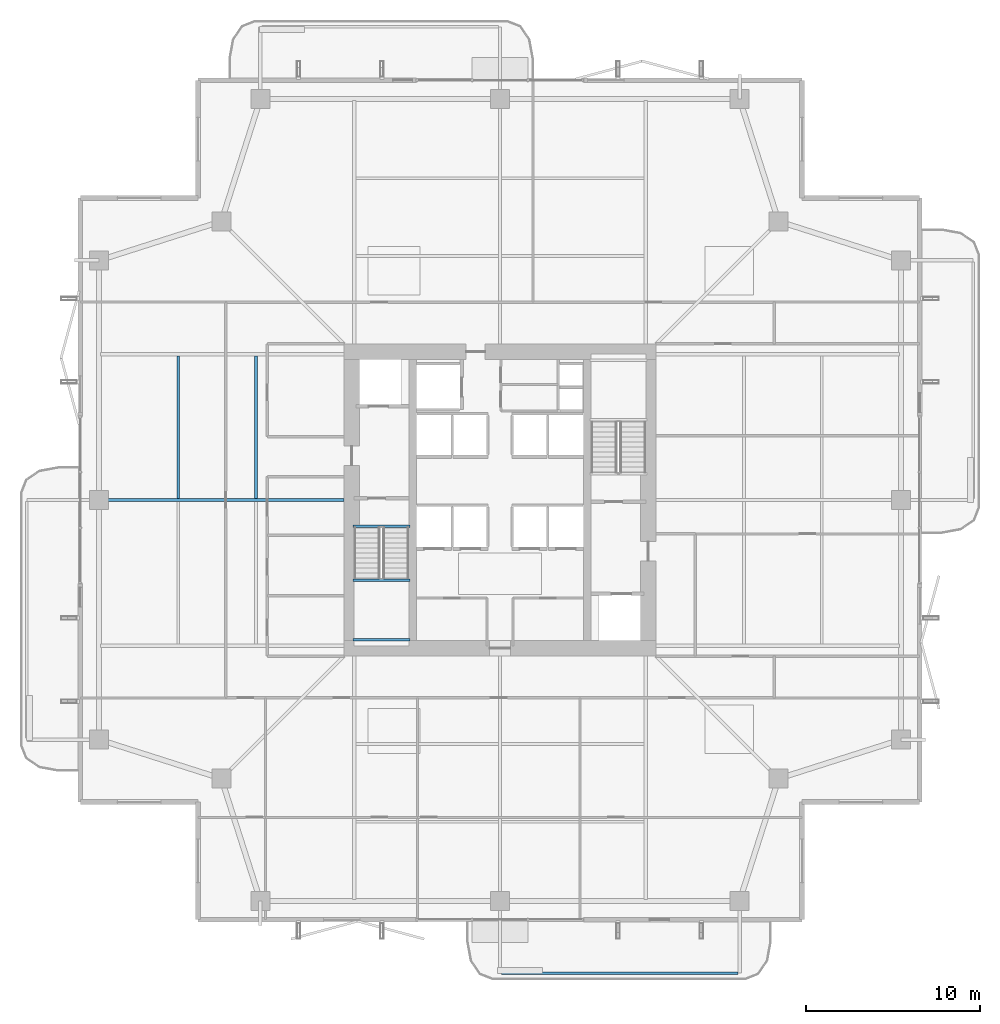
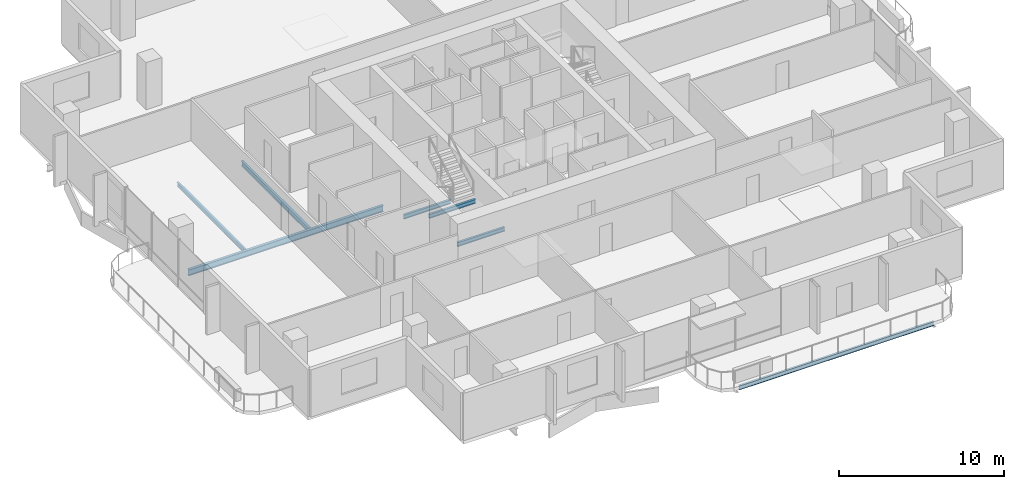
# One storey, part 7 of 25: 7 beams.
"""IFC4 building model written with IfcOpenShell, lengths in metres."""

from ifc_helpers import new_model, si_unit, direction, frame, origin, origin_2d, place, context, subcontext, project, spatial, i_section, extrude, material, material_profile, profile_set, type_object, element, save


model = new_model("IFC4")

# Units and contexts
model_context = context("Model", 3, precision=1e-05, world=origin(), true_north=direction((0.0, 1.0)))
body_context = subcontext(model_context, "Body", "Model", "MODEL_VIEW")
ifc_project = project(units=[si_unit("LENGTHUNIT", "METRE"), si_unit("AREAUNIT", "SQUARE_METRE"), si_unit("VOLUMEUNIT", "CUBIC_METRE"), si_unit("PLANEANGLEUNIT", "RADIAN"), si_unit("MASSUNIT", "GRAM", prefix="KILO")], contexts=[model_context])

# Site, building, storey
site_placement = place(None, origin())
site = spatial("IfcSite", under=ifc_project, at=site_placement, CompositionType="ELEMENT")
building_placement = place(site_placement, origin())
building = spatial("IfcBuilding", under=site, at=building_placement, Name="Belovzor Exchange Tower", CompositionType="ELEMENT")
storey_placement = place(building_placement, frame((0.0, 0.0, 187.050048828125)))
storey = spatial("IfcBuildingStorey", under=building, at=storey_placement, Name="L46", CompositionType="ELEMENT", Elevation=187.050048828125)

# Beams
ifc_material_1 = material(Name="Steel S355", Category="steel")
ifc_material_profile_1 = material_profile(ifc_material_1, i_section(OverallWidth=0.14990234375, OverallDepth=0.300048828125, WebThickness=0.007080078125, FlangeThickness=0.0107421875, at=origin_2d()))
ifc_profile_set_1 = profile_set([ifc_material_profile_1], Name="Steel S355")
beam_type_1 = type_object("IfcBeamType", Name="Planted Balcony Fascia Edge Beam IPE 300", PredefinedType="BEAM", material=ifc_profile_set_1)
beam_1_placement = place(storey_placement, frame((28.89990234375, 1.547119140625, -0.405029296875), z_axis=(1.0, 0.0, 0.0), x_axis=(0.0, 1.0, 0.0)))
element("IfcBeam", 1, at=beam_1_placement, inside=storey, type_object=beam_type_1, Name="BC-300 Planted Balcony Fascia Edge Beam IPE 300", PredefinedType="BEAM", context=body_context, shape_type="SweptSolid", body=[
    extrude(i_section(OverallWidth=0.14990234375, OverallDepth=0.300048828125, WebThickness=0.007080078125, FlangeThickness=0.0107421875, at=origin_2d()), origin(), (0.0, 0.0, 1.0), 13.60009765625),
])
ifc_material_2 = material(Name="Steel S355", Category="steel")
ifc_material_profile_2 = material_profile(ifc_material_2, i_section(OverallWidth=0.169921875, OverallDepth=0.360107421875, WebThickness=0.008056640625, FlangeThickness=0.0126953125, at=origin_2d()))
ifc_profile_set_2 = profile_set([ifc_material_profile_2], Name="Steel S355")
beam_type_2 = type_object("IfcBeamType", Name="Secondary Infill Floor Joist IPE 360", PredefinedType="BEAM", material=ifc_profile_set_2)
beam_2_placement = place(storey_placement, frame((14.7509765625, 28.89501953125, -0.43505859375), z_axis=(0.0, 1.0, 0.0), x_axis=(-1.0, 0.0, 0.0)))
element("IfcBeam", 2, at=beam_2_placement, inside=storey, type_object=beam_type_2, Name="FJ-360 Secondary Infill Floor Joist IPE 360", PredefinedType="BEAM", context=body_context, shape_type="SweptSolid", body=[
    extrude(i_section(OverallWidth=0.169921875, OverallDepth=0.360107421875, WebThickness=0.008056640625, FlangeThickness=0.0126953125, at=origin_2d()), origin(), (0.0, 0.0, 1.0), 8.2099609375),
])
ifc_material_3 = material(Name="Steel S355", Category="steel")
ifc_material_profile_3 = material_profile(ifc_material_3, i_section(OverallWidth=0.14990234375, OverallDepth=0.300048828125, WebThickness=0.007080078125, FlangeThickness=0.0107421875, at=origin_2d()))
ifc_profile_set_3 = profile_set([ifc_material_profile_3], Name="Steel S355")
beam_type_3 = type_object("IfcBeamType", Name="Secondary Trim Floor Joist IPE 300", PredefinedType="BEAM", material=ifc_profile_set_3)
for number, where, z_axis, x_axis, name in (
    (3, (20.320068359375, 24.179931640625, 1.52490234375), (1.0, 0.0, 0.0), (0.0, 1.0, 0.0), "FJ-300 Secondary Trim Floor Joist IPE 300"),
    (4, (20.320068359375, 20.75, 1.52490234375), (1.0, 0.0, 0.0), (0.0, 1.0, 0.0), "FJ-300 Secondary Trim Floor Joist IPE 300"),
):
    element("IfcBeam", number, at=place(storey_placement, frame(where, z_axis=z_axis, x_axis=x_axis)), inside=storey, type_object=beam_type_3, Name=name, PredefinedType="BEAM", context=body_context, shape_type="SweptSolid", body=[
        extrude(i_section(OverallWidth=0.14990234375, OverallDepth=0.300048828125, WebThickness=0.007080078125, FlangeThickness=0.0107421875, at=origin_2d()), origin(), (0.0, 0.0, 1.0), 3.309814453125),
    ])
beam_3_placement = place(storey_placement, frame((20.340087890625, 27.280029296875, -0.405029296875), z_axis=(1.0, 0.0, 0.0), x_axis=(0.0, 1.0, 0.0)))
element("IfcBeam", 5, at=beam_3_placement, inside=storey, type_object=beam_type_3, Name="FJ-300 Secondary Trim Floor Joist IPE 300", PredefinedType="BEAM", context=body_context, shape_type="SweptSolid", body=[
    extrude(i_section(OverallWidth=0.14990234375, OverallDepth=0.300048828125, WebThickness=0.007080078125, FlangeThickness=0.0107421875, at=origin_2d()), origin(), (0.0, 0.0, 1.0), 3.27001953125),
])
beam_4_placement = place(storey_placement, frame((10.262939453125, 28.89501953125, -0.405029296875), z_axis=(0.0, 1.0, 0.0), x_axis=(-1.0, 0.0, 0.0)))
element("IfcBeam", 6, at=beam_4_placement, inside=storey, type_object=beam_type_3, Name="FJ-300 Secondary Trim Floor Joist IPE 300", PredefinedType="BEAM", context=body_context, shape_type="SweptSolid", body=[
    extrude(i_section(OverallWidth=0.14990234375, OverallDepth=0.300048828125, WebThickness=0.007080078125, FlangeThickness=0.0107421875, at=origin_2d()), origin(), (0.0, 0.0, 1.0), 8.2099609375),
])
ifc_material_4 = material(Name="Steel S355", Category="steel")
ifc_material_profile_4 = material_profile(ifc_material_4, i_section(OverallWidth=0.18994140625, OverallDepth=0.449951171875, WebThickness=0.009521484375, FlangeThickness=0.0146484375, at=origin_2d()))
ifc_profile_set_4 = profile_set([ifc_material_profile_4], Name="Steel S355")
beam_type_4 = type_object("IfcBeamType", Name="Zone 2-4 Radial Composite Floor Beam IPE 450", PredefinedType="BEAM", material=ifc_profile_set_4)
beam_5_placement = place(storey_placement, frame((19.800048828125, 28.800048828125, -0.47998046875), z_axis=(-1.0, 0.0, 0.0), x_axis=(0.0, -1.0, 0.0)))
element("IfcBeam", 7, at=beam_5_placement, inside=storey, type_object=beam_type_4, Name="FB-450 Zone 2-4 Radial Composite Floor Beam IPE 450", PredefinedType="BEAM", context=body_context, shape_type="SweptSolid", body=[
    extrude(i_section(OverallWidth=0.18994140625, OverallDepth=0.449951171875, WebThickness=0.009521484375, FlangeThickness=0.0146484375, at=origin_2d()), origin(), (0.0, 0.0, 1.0), 13.615966796875),
])

save(model, "model.ifc")
